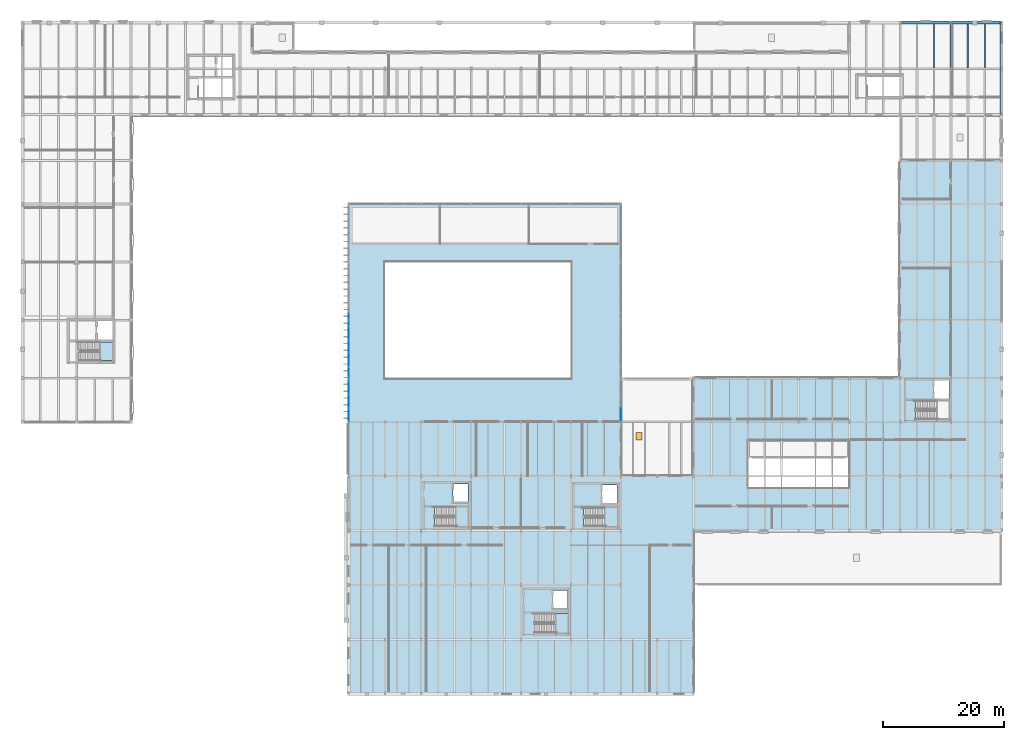
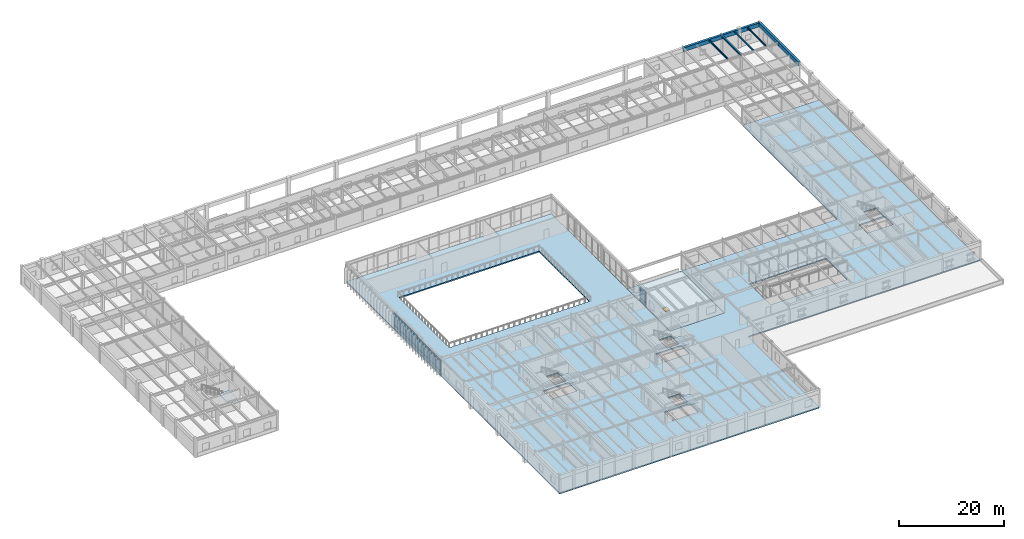
# One storey, part 35 of 64: 18 plates, 8 beams, 6 slabs, 1 door, 9 openings, 8 elements without a shape of their own.
"""IFC4 building model written with IfcOpenShell, lengths in metres."""

import ifcopenshell
import ifcopenshell.guid

model = None  # the IFC model being written
_history = None  # IfcOwnerHistory: only IFC2X3 demands one
_inside = {}  # id of a spatial element -> (the spatial element, [elements in it])
_under = {}  # id of a project, library or spatial element -> (it, [spatial elements below it])
_declared = {}  # id of a project -> (the project, [libraries it declares])
_typed = {}  # id of a type object -> (the type object, [elements of that type])
_made_of = {}  # id of a material, layer set ... -> (it, [elements and type objects made of it])


def new_model(schema):
    """Start an empty IFC model of exactly this schema.

    Asked for "IFC4X3", IfcOpenShell would pick the latest addendum, in which some entities
    have other attributes; the version numbers below select the first issue.
    IFC2X3 requires an IfcOwnerHistory on every rooted entity: one is made here for all.
    """
    global model, _history
    if schema == "IFC4X3":
        model = ifcopenshell.file(schema_version=(4, 3, 0, 0))
    else:
        model = ifcopenshell.file(schema=schema)
    _inside.clear()
    _under.clear()
    _declared.clear()
    _typed.clear()
    _made_of.clear()
    _history = None
    if model.schema == "IFC2X3":
        org = make("IfcOrganization", Name="unknown")
        user = make(
            "IfcPersonAndOrganization",
            ThePerson=make("IfcPerson", FamilyName="unknown"),
            TheOrganization=org,
        )
        app = make(
            "IfcApplication",
            ApplicationDeveloper=org,
            Version="unknown",
            ApplicationFullName="unknown",
            ApplicationIdentifier="unknown",
        )
        _history = make(
            "IfcOwnerHistory",
            OwningUser=user,
            OwningApplication=app,
            ChangeAction="ADDED",
            CreationDate=0,
        )
    return model


def make(cls, **values):
    """One entity of the class cls with the attributes given. An attribute that is None is left unset."""
    return model.create_entity(
        cls, **{name: value for name, value in values.items() if value is not None}
    )


def rooted(cls, **values):
    """An entity with a GlobalId (a new one), such as an element, a storey or a relation."""
    return make(cls, GlobalId=ifcopenshell.guid.new(), OwnerHistory=_history, **values)


def si_unit(unit_type, name, prefix=None):
    """IfcSIUnit, for example si_unit("LENGTHUNIT", "METRE", prefix="MILLI")."""
    return make("IfcSIUnit", UnitType=unit_type, Prefix=prefix, Name=name)


def assignment(units):
    """IfcUnitAssignment: the units of a project."""
    return None if units is None else make("IfcUnitAssignment", Units=units)


def point(xyz):
    """IfcCartesianPoint."""
    return None if xyz is None else make("IfcCartesianPoint", Coordinates=xyz)


def direction(xyz):
    """IfcDirection."""
    return None if xyz is None else make("IfcDirection", DirectionRatios=xyz)


def frame(location, z_axis=None, x_axis=None):
    """IfcAxis2Placement3D, a coordinate frame: its origin and axes. An axis left out is left unset."""
    return make(
        "IfcAxis2Placement3D",
        Location=point(location),
        Axis=direction(z_axis),
        RefDirection=direction(x_axis),
    )


def frame_2d(location, x_axis=None):
    """IfcAxis2Placement2D, a coordinate frame in the plane: its origin and x axis."""
    return make(
        "IfcAxis2Placement2D", Location=point(location), RefDirection=direction(x_axis)
    )


def origin():
    """The frame at (0, 0, 0) with its axes left unset."""
    return frame((0.0, 0.0, 0.0))


def origin_2d():
    """The frame at (0, 0) in the plane with its x axis left unset."""
    return frame_2d((0.0, 0.0))


def place(relative_to, where):
    """IfcLocalPlacement: puts the frame where relative to a parent placement (None: the world)."""
    return make(
        "IfcLocalPlacement", PlacementRelTo=relative_to, RelativePlacement=where
    )


def context(
    kind, dimensions, precision=None, world=None, true_north=None, identifier=None
):
    """IfcGeometricRepresentationContext, for example the 3D "Model" context."""
    return make(
        "IfcGeometricRepresentationContext",
        ContextIdentifier=identifier,
        ContextType=kind,
        CoordinateSpaceDimension=dimensions,
        Precision=precision,
        WorldCoordinateSystem=world,
        TrueNorth=true_north,
    )


def subcontext(parent, identifier, kind, view, scale=None):
    """IfcGeometricRepresentationSubContext, for example "Body" below "Model"."""
    return make(
        "IfcGeometricRepresentationSubContext",
        ContextIdentifier=identifier,
        ContextType=kind,
        ParentContext=parent,
        TargetScale=scale,
        TargetView=view,
    )


def project(units=None, contexts=None):
    """IfcProject with its units and contexts."""
    return rooted(
        "IfcProject",
        Name="project",
        RepresentationContexts=contexts,
        UnitsInContext=assignment(units),
    )


def spatial(cls, under=None, at=None, **own):
    """A site, building, storey or space (cls), placed at a placement, below another one or the project."""
    s = rooted(cls, ObjectPlacement=at, **own)
    if under is not None:
        _under.setdefault(under.id(), (under, []))[1].append(s)
    return s


def polyline(points):
    """IfcPolyline through the points."""
    return make("IfcPolyline", Points=[point(p) for p in points])


def profile(cls, at=None, kind="AREA", **sizes):
    """A parametric profile (cls). Its sizes go by their IFC names, for example OverallWidth=200.0."""
    return make(cls, ProfileType=kind, Position=at, **sizes)


def rectangle(**sizes):
    """IfcRectangleProfileDef."""
    return profile("IfcRectangleProfileDef", **sizes)


def i_section(**sizes):
    """IfcIShapeProfileDef."""
    return profile("IfcIShapeProfileDef", **sizes)


def outline(outer, holes=None, kind="AREA"):
    """IfcArbitraryClosedProfileDef: a profile drawn as a closed curve; with holes, ...WithVoids."""
    if holes is None:
        return make("IfcArbitraryClosedProfileDef", ProfileType=kind, OuterCurve=outer)
    return make(
        "IfcArbitraryProfileDefWithVoids",
        ProfileType=kind,
        OuterCurve=outer,
        InnerCurves=holes,
    )


def extrude(swept, where, along, depth):
    """IfcExtrudedAreaSolid: the profile swept, set in the frame where, extruded along a direction by depth."""
    return make(
        "IfcExtrudedAreaSolid",
        SweptArea=swept,
        Position=where,
        ExtrudedDirection=direction(along),
        Depth=depth,
    )


def shape(context_of_items, identifier, shape_type, items):
    """IfcShapeRepresentation: the items that make up one representation, for example the "Body"."""
    return make(
        "IfcShapeRepresentation",
        ContextOfItems=context_of_items,
        RepresentationIdentifier=identifier,
        RepresentationType=shape_type,
        Items=items,
    )


def material(Name=None, Category=None):
    """IfcMaterial."""
    return make("IfcMaterial", Name=Name, Category=Category)


def layer(
    of_material, thickness, ventilated=None, Name=None, Category=None, Priority=None
):
    """IfcMaterialLayer: one layer of a wall or slab, of a material (None: an air gap)."""
    return make(
        "IfcMaterialLayer",
        Material=of_material,
        LayerThickness=thickness,
        IsVentilated=ventilated,
        Name=Name,
        Category=Category,
        Priority=Priority,
    )


def layer_set(layers, Name=None):
    """IfcMaterialLayerSet."""
    return make("IfcMaterialLayerSet", MaterialLayers=layers, LayerSetName=Name)


def material_profile(
    of_material, cross_section, Name=None, Category=None, Priority=None
):
    """IfcMaterialProfile: a cross section and its material."""
    return make(
        "IfcMaterialProfile",
        Name=Name,
        Material=of_material,
        Profile=cross_section,
        Priority=Priority,
        Category=Category,
    )


def profile_set(profiles, Name=None, composite=None):
    """IfcMaterialProfileSet."""
    return make(
        "IfcMaterialProfileSet",
        Name=Name,
        MaterialProfiles=profiles,
        CompositeProfile=composite,
    )


def made_of(thing, what):
    """Note that an element or type object is made of a material, layer set ...; save() writes the relation."""
    if what is not None:
        _made_of.setdefault(what.id(), (what, []))[1].append(thing)
    return thing


def type_object(cls, material=None, **own):
    """A type object (cls), such as IfcWallType, which elements share."""
    return made_of(rooted(cls, **own), material)


def element(
    cls,
    number,
    at=None,
    inside=None,
    cuts=None,
    type_object=None,
    material=None,
    context=None,
    identifier="Body",
    shape_type=None,
    held_by="IfcProductDefinitionShape",
    body=None,
    shapes=None,
    **own,
):
    """One element of the class cls, such as IfcWall. Its Tag is "e" and its number.

    at: its placement. inside: the storey or other place that contains it. cuts: it is an
    opening in that element (IfcRelVoidsElement). A single representation is given by context,
    identifier, shape_type and body (its items); several are given by shapes. held_by: the class
    of the entity that holds the representations. save() writes the other relations.
    """
    e = rooted(cls, Tag="e%d" % number, ObjectPlacement=at, **own)
    if body is not None:
        shapes = [shape(context, identifier, shape_type, body)]
    if shapes is not None:
        e.Representation = make(held_by, Representations=shapes)
    if inside is not None:
        _inside.setdefault(inside.id(), (inside, []))[1].append(e)
    if cuts is not None:
        rooted(
            "IfcRelVoidsElement", RelatingBuildingElement=cuts, RelatedOpeningElement=e
        )
    if type_object is not None:
        _typed.setdefault(type_object.id(), (type_object, []))[1].append(e)
    return made_of(e, material)


def fill(opening, filler):
    """IfcRelFillsElement: the door or window that sits in an opening."""
    return rooted(
        "IfcRelFillsElement",
        RelatingOpeningElement=opening,
        RelatedBuildingElement=filler,
    )


def aggregate(whole, parts):
    """IfcRelAggregates: a whole, such as a stair, and the parts it consists of."""
    return rooted("IfcRelAggregates", RelatingObject=whole, RelatedObjects=parts)


def save(model, path):
    """Write the relations noted so far, then the file.

    IfcRelAggregates (storeys below a building ...), IfcRelContainedInSpatialStructure (elements
    in a storey), IfcRelDefinesByType, IfcRelAssociatesMaterial and IfcRelDeclares: one each for
    every whole, place, type object, material and project.
    """
    for whole, parts in _under.values():
        aggregate(whole, parts)
    for where, things in _inside.values():
        rooted(
            "IfcRelContainedInSpatialStructure",
            RelatedElements=things,
            RelatingStructure=where,
        )
    for kind, things in _typed.values():
        rooted("IfcRelDefinesByType", RelatedObjects=things, RelatingType=kind)
    for what, things in _made_of.values():
        rooted("IfcRelAssociatesMaterial", RelatedObjects=things, RelatingMaterial=what)
    for by, libraries in _declared.values():
        rooted("IfcRelDeclares", RelatingContext=by, RelatedDefinitions=libraries)
    model.write(path)


model = new_model("IFC4")

# Units and contexts
model_context = context("Model", 3, precision=1e-05, world=origin(), true_north=direction((0.0, 1.0)))
body_context = subcontext(model_context, "Body", "Model", "MODEL_VIEW")
ifc_project = project(units=[si_unit("LENGTHUNIT", "METRE"), si_unit("AREAUNIT", "SQUARE_METRE"), si_unit("VOLUMEUNIT", "CUBIC_METRE"), si_unit("PLANEANGLEUNIT", "RADIAN"), si_unit("MASSUNIT", "GRAM", prefix="KILO")], contexts=[model_context])

# Site, building, storey
site_placement = place(None, origin())
site = spatial("IfcSite", under=ifc_project, at=site_placement, CompositionType="ELEMENT")
building_placement = place(site_placement, origin())
building = spatial("IfcBuilding", under=site, at=building_placement, Name="Montealbar Specialist Clinic", CompositionType="ELEMENT")
storey_placement = place(building_placement, frame((0.0, 0.0, 5.10009765625)))
storey = spatial("IfcBuildingStorey", under=building, at=storey_placement, Name="L01", CompositionType="ELEMENT", Elevation=5.10009765625)

# Beams
ifc_material_1 = material(Name="Precast concrete C40/50", Category="concrete")
ifc_material_profile_1 = material_profile(ifc_material_1, rectangle(XDim=0.5, YDim=0.89990234375, at=origin_2d()), Name="PRECAST CORNICE 500x900", Category="concrete")
ifc_profile_set_1 = profile_set([ifc_material_profile_1], Name="Precast concrete C40/50")
beam_type_1 = type_object("IfcBeamType", Name="BM-CORNICE-PM900-EXT", PredefinedType="SPANDREL", material=ifc_profile_set_1)
beam_1_placement = place(storey_placement, frame((145.199951171875, 111.0, 3.77978515625), z_axis=(1.0, 0.0, 0.0), x_axis=(0.0, 1.0, 0.0)))
element("IfcBeam", 1, at=beam_1_placement, inside=storey, type_object=beam_type_1, Name="Postmodern Entablature Cornice L01 Y=111.0 X=145.2-153.6", PredefinedType="SPANDREL", context=body_context, shape_type="SweptSolid", body=[
    extrude(rectangle(XDim=0.5, YDim=0.89990234375, at=origin_2d()), origin(), (0.0, 0.0, 1.0), 8.400146484375),
])
beam_2_placement = place(storey_placement, frame((153.60009765625, 111.0, 3.77978515625), z_axis=(1.0, 0.0, 0.0), x_axis=(0.0, 1.0, 0.0)))
element("IfcBeam", 2, at=beam_2_placement, inside=storey, type_object=beam_type_1, Name="Postmodern Entablature Cornice L01 Y=111.0 X=153.6-162.0", PredefinedType="SPANDREL", context=body_context, shape_type="SweptSolid", body=[
    extrude(rectangle(XDim=0.5, YDim=0.89990234375, at=origin_2d()), origin(), (0.0, 0.0, 1.0), 8.39990234375),
])
beam_3_placement = place(storey_placement, frame((162.0, 95.800048828125, 3.77978515625), z_axis=(0.0, 1.0, 0.0), x_axis=(-1.0, 0.0, 0.0)))
element("IfcBeam", 3, at=beam_3_placement, inside=storey, type_object=beam_type_1, Name="Postmodern Entablature Cornice L01 X=162.0 Y=95.8-103.4", PredefinedType="SPANDREL", context=body_context, shape_type="SweptSolid", body=[
    extrude(rectangle(XDim=0.5, YDim=0.89990234375, at=origin_2d()), origin(), (0.0, 0.0, 1.0), 7.599853515625),
])
beam_4_placement = place(storey_placement, frame((162.0, 103.39990234375, 3.77978515625), z_axis=(0.0, 1.0, 0.0), x_axis=(-1.0, 0.0, 0.0)))
element("IfcBeam", 4, at=beam_4_placement, inside=storey, type_object=beam_type_1, Name="Postmodern Entablature Cornice L01 X=162.0 Y=103.4-111.0", PredefinedType="SPANDREL", context=body_context, shape_type="SweptSolid", body=[
    extrude(rectangle(XDim=0.5, YDim=0.89990234375, at=origin_2d()), origin(), (0.0, 0.0, 1.0), 7.60009765625),
])
ifc_material_2 = material(Name="Steel S355", Category="steel")
ifc_material_profile_2 = material_profile(ifc_material_2, i_section(OverallWidth=0.300048828125, OverallDepth=0.360107421875, WebThickness=0.012451171875, FlangeThickness=0.0224609375, FilletRadius=0.027099609375, at=origin_2d()), Name="HEB 360", Category="steel")
ifc_profile_set_2 = profile_set([ifc_material_profile_2], Name="Steel S355")
beam_type_2 = type_object("IfcBeamType", Name="BM-GIRD-HEB360-EXT", PredefinedType="BEAM", material=ifc_profile_set_2)
beam_5_placement = place(storey_placement, frame((153.60009765625, 103.39990234375, 4.0498046875), z_axis=(0.0, 1.0, 0.0), x_axis=(-1.0, 0.0, 0.0)))
element("IfcBeam", 5, at=beam_5_placement, inside=storey, type_object=beam_type_2, Name="Beam GY-L01-1536-1034-1110", PredefinedType="BEAM", context=body_context, shape_type="SweptSolid", body=[
    extrude(i_section(OverallWidth=0.300048828125, OverallDepth=0.360107421875, WebThickness=0.012451171875, FlangeThickness=0.0224609375, FilletRadius=0.027099609375, at=origin_2d()), origin(), (0.0, 0.0, 1.0), 7.60009765625),
])
ifc_material_profile_3 = material_profile(ifc_material_2, i_section(OverallWidth=0.169921875, OverallDepth=0.360107421875, WebThickness=0.008056640625, FlangeThickness=0.0126953125, FilletRadius=0.01806640625, at=origin_2d()), Name="IPE 360", Category="steel")
ifc_profile_set_3 = profile_set([ifc_material_profile_3], Name="Steel S355")
beam_type_3 = type_object("IfcBeamType", Name="BM-JST-IPE360", PredefinedType="JOIST", material=ifc_profile_set_3)
beam_6_placement = place(storey_placement, frame((159.199951171875, 103.550048828125, 4.0498046875), z_axis=(0.0, 1.0, 0.0), x_axis=(-1.0, 0.0, 0.0)))
element("IfcBeam", 6, at=beam_6_placement, inside=storey, type_object=beam_type_3, Name="Beam JST-L01-1592-1036-1108", PredefinedType="JOIST", context=body_context, shape_type="SweptSolid", body=[
    extrude(i_section(OverallWidth=0.169921875, OverallDepth=0.360107421875, WebThickness=0.008056640625, FlangeThickness=0.0126953125, FilletRadius=0.01806640625, at=origin_2d()), origin(), (0.0, 0.0, 1.0), 7.199951171875),
])
ifc_material_profile_4 = material_profile(ifc_material_2, i_section(OverallWidth=0.179931640625, OverallDepth=0.39990234375, WebThickness=0.008544921875, FlangeThickness=0.013427734375, FilletRadius=0.02099609375, at=origin_2d()), Name="IPE 400", Category="steel")
ifc_profile_set_4 = profile_set([ifc_material_profile_4], Name="Steel S355")
beam_type_4 = type_object("IfcBeamType", Name="BM-SEC-IPE400", PredefinedType="BEAM", material=ifc_profile_set_4)
beam_7_placement = place(storey_placement, frame((150.800048828125, 103.550048828125, 4.02978515625), z_axis=(0.0, 1.0, 0.0), x_axis=(-1.0, 0.0, 0.0)))
element("IfcBeam", 7, at=beam_7_placement, inside=storey, type_object=beam_type_4, Name="Beam JST-L01-1508-1036-1108", PredefinedType="BEAM", context=body_context, shape_type="SweptSolid", body=[
    extrude(i_section(OverallWidth=0.179931640625, OverallDepth=0.39990234375, WebThickness=0.008544921875, FlangeThickness=0.013427734375, FilletRadius=0.02099609375, at=origin_2d()), origin(), (0.0, 0.0, 1.0), 7.199951171875),
])
ifc_material_profile_5 = material_profile(ifc_material_2, i_section(OverallWidth=0.239990234375, OverallDepth=0.22998046875, WebThickness=0.007568359375, FlangeThickness=0.011962890625, FilletRadius=0.02099609375, at=origin_2d()), Name="HEA 240", Category="steel")
ifc_profile_set_5 = profile_set([ifc_material_profile_5], Name="Steel S355")
beam_type_5 = type_object("IfcBeamType", Name="BM-SPAND-HEA240", PredefinedType="SPANDREL", material=ifc_profile_set_5)
beam_8_placement = place(storey_placement, frame((156.39990234375, 103.550048828125, 4.114990234375), z_axis=(0.0, 1.0, 0.0), x_axis=(-1.0, 0.0, 0.0)))
element("IfcBeam", 8, at=beam_8_placement, inside=storey, type_object=beam_type_5, Name="Beam JST-L01-1564-1036-1108", PredefinedType="SPANDREL", context=body_context, shape_type="SweptSolid", body=[
    extrude(i_section(OverallWidth=0.239990234375, OverallDepth=0.22998046875, WebThickness=0.007568359375, FlangeThickness=0.011962890625, FilletRadius=0.02099609375, at=origin_2d()), origin(), (0.0, 0.0, 1.0), 7.199951171875),
])

# Curtain wall, plates
ifc_material_3 = material(Name="Low-E double glazing", Category="glass")
ifc_layer_1 = layer(ifc_material_3, 0.199951171875, Name="Low-E double glazing", Category="glass")
ifc_layer_set_1 = layer_set([ifc_layer_1], Name="Low-E double glazing")
curtain_wall_type_1 = type_object("IfcCurtainWallType", Name="CW-TYPE-07", PredefinedType="NOTDEFINED", material=ifc_layer_set_1)
curtain_wall_1_placement = place(storey_placement, origin())
curtain_wall_1 = element("IfcCurtainWall", 9, at=curtain_wall_1_placement, inside=storey, type_object=curtain_wall_type_1, Name="Unitised Curtain Wall CW-L01-540-450-540-540-51", PredefinedType="NOTDEFINED")
ifc_layer_2 = layer(ifc_material_3, 0.048095703125, Name="Low-E double glazing", Category="glass")
ifc_layer_set_2 = layer_set([ifc_layer_2], Name="Low-E double glazing")
plate_type = type_object("IfcPlateType", Name="CW-PNL-IGU48", PredefinedType="CURTAIN_PANEL", material=ifc_layer_set_2)
plate_1_placement = place(storey_placement, frame((54.0, 46.125, 0.06982421875), z_axis=(0.0, 0.0, 1.0), x_axis=(0.0, 1.0, 0.0)))
plate_1 = element("IfcPlate", 10, at=plate_1_placement, type_object=plate_type, Name="Glazed Curtain Panel CW-L01-540-450-540-540-51-1-1", PredefinedType="CURTAIN_PANEL", context=body_context, shape_type="SweptSolid", body=[
    extrude(rectangle(XDim=2.166015625, YDim=0.048095703125, at=origin_2d()), origin(), (0.0, 0.0, 1.0), 0.85009765625),
])
plate_2_placement = place(storey_placement, frame((54.0, 46.125, 0.97998046875), z_axis=(0.0, 0.0, 1.0), x_axis=(0.0, 1.0, 0.0)))
plate_2 = element("IfcPlate", 11, at=plate_2_placement, type_object=plate_type, Name="Glazed Curtain Panel CW-L01-540-450-540-540-51-1-2", PredefinedType="CURTAIN_PANEL", context=body_context, shape_type="SweptSolid", body=[
    extrude(rectangle(XDim=2.166015625, YDim=0.048095703125, at=origin_2d()), origin(), (0.0, 0.0, 1.0), 2.47998046875),
])
plate_3_placement = place(storey_placement, frame((54.0, 48.375, 0.06982421875), z_axis=(0.0, 0.0, 1.0), x_axis=(0.0, 1.0, 0.0)))
plate_3 = element("IfcPlate", 12, at=plate_3_placement, type_object=plate_type, Name="Glazed Curtain Panel CW-L01-540-450-540-540-51-2-1", PredefinedType="CURTAIN_PANEL", context=body_context, shape_type="SweptSolid", body=[
    extrude(rectangle(XDim=2.166015625, YDim=0.048095703125, at=origin_2d()), origin(), (0.0, 0.0, 1.0), 0.85009765625),
])
plate_4_placement = place(storey_placement, frame((54.0, 48.375, 0.97998046875), z_axis=(0.0, 0.0, 1.0), x_axis=(0.0, 1.0, 0.0)))
plate_4 = element("IfcPlate", 13, at=plate_4_placement, type_object=plate_type, Name="Glazed Curtain Panel CW-L01-540-450-540-540-51-2-2", PredefinedType="CURTAIN_PANEL", context=body_context, shape_type="SweptSolid", body=[
    extrude(rectangle(XDim=2.166015625, YDim=0.048095703125, at=origin_2d()), origin(), (0.0, 0.0, 1.0), 2.47998046875),
])
plate_5_placement = place(storey_placement, frame((54.0, 50.625, 0.06982421875), z_axis=(0.0, 0.0, 1.0), x_axis=(0.0, 1.0, 0.0)))
plate_5 = element("IfcPlate", 14, at=plate_5_placement, type_object=plate_type, Name="Glazed Curtain Panel CW-L01-540-450-540-540-51-3-1", PredefinedType="CURTAIN_PANEL", context=body_context, shape_type="SweptSolid", body=[
    extrude(rectangle(XDim=2.166015625, YDim=0.048095703125, at=origin_2d()), origin(), (0.0, 0.0, 1.0), 0.85009765625),
])
plate_6_placement = place(storey_placement, frame((54.0, 50.625, 0.97998046875), z_axis=(0.0, 0.0, 1.0), x_axis=(0.0, 1.0, 0.0)))
plate_6 = element("IfcPlate", 15, at=plate_6_placement, type_object=plate_type, Name="Glazed Curtain Panel CW-L01-540-450-540-540-51-3-2", PredefinedType="CURTAIN_PANEL", context=body_context, shape_type="SweptSolid", body=[
    extrude(rectangle(XDim=2.166015625, YDim=0.048095703125, at=origin_2d()), origin(), (0.0, 0.0, 1.0), 2.47998046875),
])
plate_7_placement = place(storey_placement, frame((54.0, 52.875, 0.06982421875), z_axis=(0.0, 0.0, 1.0), x_axis=(0.0, 1.0, 0.0)))
plate_7 = element("IfcPlate", 16, at=plate_7_placement, type_object=plate_type, Name="Glazed Curtain Panel CW-L01-540-450-540-540-51-4-1", PredefinedType="CURTAIN_PANEL", context=body_context, shape_type="SweptSolid", body=[
    extrude(rectangle(XDim=2.166015625, YDim=0.048095703125, at=origin_2d()), origin(), (0.0, 0.0, 1.0), 0.85009765625),
])
plate_8_placement = place(storey_placement, frame((54.0, 52.875, 0.97998046875), z_axis=(0.0, 0.0, 1.0), x_axis=(0.0, 1.0, 0.0)))
plate_8 = element("IfcPlate", 17, at=plate_8_placement, type_object=plate_type, Name="Glazed Curtain Panel CW-L01-540-450-540-540-51-4-2", PredefinedType="CURTAIN_PANEL", context=body_context, shape_type="SweptSolid", body=[
    extrude(rectangle(XDim=2.166015625, YDim=0.048095703125, at=origin_2d()), origin(), (0.0, 0.0, 1.0), 2.47998046875),
])
aggregate(curtain_wall_1, [plate_1, plate_2, plate_3, plate_4, plate_5, plate_6, plate_7, plate_8])

ifc_layer_3 = layer(ifc_material_3, 0.199951171875, Name="Low-E double glazing", Category="glass")
ifc_layer_set_3 = layer_set([ifc_layer_3], Name="Low-E double glazing")
curtain_wall_type_2 = type_object("IfcCurtainWallType", Name="CW-TYPE-08", PredefinedType="NOTDEFINED", material=ifc_layer_set_3)
curtain_wall_2_placement = place(storey_placement, origin())
curtain_wall_2 = element("IfcCurtainWall", 18, at=curtain_wall_2_placement, inside=storey, type_object=curtain_wall_type_2, Name="Unitised Curtain Wall CW-L01-540-540-540-630-51", PredefinedType="NOTDEFINED")
plate_9_placement = place(storey_placement, frame((54.0, 55.125, 0.06982421875), z_axis=(0.0, 0.0, 1.0), x_axis=(0.0, 1.0, 0.0)))
plate_9 = element("IfcPlate", 19, at=plate_9_placement, type_object=plate_type, Name="Glazed Curtain Panel CW-L01-540-540-540-630-51-1-1", PredefinedType="CURTAIN_PANEL", context=body_context, shape_type="SweptSolid", body=[
    extrude(rectangle(XDim=2.166015625, YDim=0.048095703125, at=origin_2d()), origin(), (0.0, 0.0, 1.0), 0.85009765625),
])
plate_10_placement = place(storey_placement, frame((54.0, 55.125, 0.97998046875), z_axis=(0.0, 0.0, 1.0), x_axis=(0.0, 1.0, 0.0)))
plate_10 = element("IfcPlate", 20, at=plate_10_placement, type_object=plate_type, Name="Glazed Curtain Panel CW-L01-540-540-540-630-51-1-2", PredefinedType="CURTAIN_PANEL", context=body_context, shape_type="SweptSolid", body=[
    extrude(rectangle(XDim=2.166015625, YDim=0.048095703125, at=origin_2d()), origin(), (0.0, 0.0, 1.0), 2.75),
])
plate_11_placement = place(storey_placement, frame((54.0, 57.375, 0.06982421875), z_axis=(0.0, 0.0, 1.0), x_axis=(0.0, 1.0, 0.0)))
plate_11 = element("IfcPlate", 21, at=plate_11_placement, type_object=plate_type, Name="Glazed Curtain Panel CW-L01-540-540-540-630-51-2-1", PredefinedType="CURTAIN_PANEL", context=body_context, shape_type="SweptSolid", body=[
    extrude(rectangle(XDim=2.166015625, YDim=0.048095703125, at=origin_2d()), origin(), (0.0, 0.0, 1.0), 0.85009765625),
])
plate_12_placement = place(storey_placement, frame((54.0, 57.375, 0.97998046875), z_axis=(0.0, 0.0, 1.0), x_axis=(0.0, 1.0, 0.0)))
plate_12 = element("IfcPlate", 22, at=plate_12_placement, type_object=plate_type, Name="Glazed Curtain Panel CW-L01-540-540-540-630-51-2-2", PredefinedType="CURTAIN_PANEL", context=body_context, shape_type="SweptSolid", body=[
    extrude(rectangle(XDim=2.166015625, YDim=0.048095703125, at=origin_2d()), origin(), (0.0, 0.0, 1.0), 2.75),
])
plate_13_placement = place(storey_placement, frame((54.0, 59.625, 0.06982421875), z_axis=(0.0, 0.0, 1.0), x_axis=(0.0, 1.0, 0.0)))
plate_13 = element("IfcPlate", 23, at=plate_13_placement, type_object=plate_type, Name="Glazed Curtain Panel CW-L01-540-540-540-630-51-3-1", PredefinedType="CURTAIN_PANEL", context=body_context, shape_type="SweptSolid", body=[
    extrude(rectangle(XDim=2.166015625, YDim=0.048095703125, at=origin_2d()), origin(), (0.0, 0.0, 1.0), 0.85009765625),
])
plate_14_placement = place(storey_placement, frame((54.0, 59.625, 0.97998046875), z_axis=(0.0, 0.0, 1.0), x_axis=(0.0, 1.0, 0.0)))
plate_14 = element("IfcPlate", 24, at=plate_14_placement, type_object=plate_type, Name="Glazed Curtain Panel CW-L01-540-540-540-630-51-3-2", PredefinedType="CURTAIN_PANEL", context=body_context, shape_type="SweptSolid", body=[
    extrude(rectangle(XDim=2.166015625, YDim=0.048095703125, at=origin_2d()), origin(), (0.0, 0.0, 1.0), 2.75),
])
plate_15_placement = place(storey_placement, frame((54.0, 61.875, 0.06982421875), z_axis=(0.0, 0.0, 1.0), x_axis=(0.0, 1.0, 0.0)))
plate_15 = element("IfcPlate", 25, at=plate_15_placement, type_object=plate_type, Name="Glazed Curtain Panel CW-L01-540-540-540-630-51-4-1", PredefinedType="CURTAIN_PANEL", context=body_context, shape_type="SweptSolid", body=[
    extrude(rectangle(XDim=2.166015625, YDim=0.048095703125, at=origin_2d()), origin(), (0.0, 0.0, 1.0), 0.85009765625),
])
plate_16_placement = place(storey_placement, frame((54.0, 61.875, 0.97998046875), z_axis=(0.0, 0.0, 1.0), x_axis=(0.0, 1.0, 0.0)))
plate_16 = element("IfcPlate", 26, at=plate_16_placement, type_object=plate_type, Name="Glazed Curtain Panel CW-L01-540-540-540-630-51-4-2", PredefinedType="CURTAIN_PANEL", context=body_context, shape_type="SweptSolid", body=[
    extrude(rectangle(XDim=2.166015625, YDim=0.048095703125, at=origin_2d()), origin(), (0.0, 0.0, 1.0), 2.75),
])
aggregate(curtain_wall_2, [plate_9, plate_10, plate_11, plate_12, plate_13, plate_14, plate_15, plate_16])

curtain_wall_3_placement = place(storey_placement, origin())
curtain_wall_3 = element("IfcCurtainWall", 27, at=curtain_wall_3_placement, inside=storey, type_object=curtain_wall_type_1, Name="Unitised Curtain Wall CW-L01-990-540-990-450-51", PredefinedType="NOTDEFINED")
plate_17_placement = place(storey_placement, frame((99.0, 46.125, 0.06982421875), z_axis=(0.0, 0.0, 1.0), x_axis=(0.0, -1.0, 0.0)))
plate_17 = element("IfcPlate", 28, at=plate_17_placement, type_object=plate_type, Name="Glazed Curtain Panel CW-L01-990-540-990-450-51-4-1", PredefinedType="CURTAIN_PANEL", context=body_context, shape_type="SweptSolid", body=[
    extrude(rectangle(XDim=2.177978515625, YDim=0.048095703125, at=origin_2d()), origin(), (0.0, 0.0, 1.0), 0.85009765625),
])
plate_18_placement = place(storey_placement, frame((99.0, 46.125, 0.97998046875), z_axis=(0.0, 0.0, 1.0), x_axis=(0.0, -1.0, 0.0)))
plate_18 = element("IfcPlate", 29, at=plate_18_placement, type_object=plate_type, Name="Glazed Curtain Panel CW-L01-990-540-990-450-51-4-2", PredefinedType="CURTAIN_PANEL", context=body_context, shape_type="SweptSolid", body=[
    extrude(rectangle(XDim=2.177978515625, YDim=0.048095703125, at=origin_2d()), origin(), (0.0, 0.0, 1.0), 2.47998046875),
])
aggregate(curtain_wall_3, [plate_17, plate_18])

# Slab, openings
ifc_material_4 = material(Name="Concrete C35/45", Category="concrete")
ifc_layer_4 = layer(ifc_material_4, 0.2900390625, Name="Concrete C35/45", Category="concrete")
ifc_layer_set_4 = layer_set([ifc_layer_4], Name="Concrete C35/45")
slab_type_1 = type_object("IfcSlabType", Name="SL-FLR-250", PredefinedType="FLOOR", material=ifc_layer_set_4)
slab_1_placement = place(storey_placement, frame((0.0, 0.0, -0.2900390625)))
slab_1 = element("IfcSlab", 30, at=slab_1_placement, inside=storey, type_object=slab_type_1, Name="Structural Slab L01 Wing 2", PredefinedType="FLOOR", context=body_context, shape_type="SweptSolid", body=[
    extrude(outline(polyline([(54.0, 0.0), (54.0, 81.0), (99.0, 81.0), (99.0, 36.0), (111.0, 36.0), (111.0, 52.199951171875), (145.199951171875, 52.199951171875), (145.199951171875, 88.199951171875), (162.0, 88.199951171875), (162.0, 27.0), (111.0, 27.0), (111.0, 0.0), (54.0, 0.0)]), holes=[polyline([(120.0, 34.0), (136.800048828125, 34.0), (136.800048828125, 42.0), (120.0, 42.0), (120.0, 34.0)]), polyline([(90.75, 52.199951171875), (90.75, 71.39990234375), (60.0, 71.39990234375), (60.0, 52.199951171875), (90.75, 52.199951171875)]), polyline([(84.699951171875, 13.300048828125), (84.699951171875, 10.10009765625), (90.35009765625, 10.10009765625), (90.35009765625, 13.300048828125), (84.699951171875, 13.300048828125)]), polyline([(73.85009765625, 30.89990234375), (68.199951171875, 30.89990234375), (68.199951171875, 27.699951171875), (73.85009765625, 27.699951171875), (73.85009765625, 30.89990234375)]), polyline([(73.701904296875, 34.701904296875), (71.197998046875, 34.701904296875), (71.197998046875, 31.597900390625), (73.701904296875, 31.597900390625), (73.701904296875, 34.701904296875)]), polyline([(90.201904296875, 17.10205078125), (87.697998046875, 17.10205078125), (87.697998046875, 13.998046875), (90.201904296875, 13.998046875), (90.201904296875, 17.10205078125)]), polyline([(98.550048828125, 30.800048828125), (92.85009765625, 30.800048828125), (92.85009765625, 27.699951171875), (98.550048828125, 27.699951171875), (98.550048828125, 30.800048828125)]), polyline([(98.402099609375, 34.501953125), (95.798095703125, 34.501953125), (95.798095703125, 31.39794921875), (98.402099609375, 31.39794921875), (98.402099609375, 34.501953125)]), polyline([(153.449951171875, 48.5), (147.75, 48.5), (147.75, 45.39990234375), (153.449951171875, 45.39990234375), (153.449951171875, 48.5)]), polyline([(153.302001953125, 51.802001953125), (150.697998046875, 51.802001953125), (150.697998046875, 48.798095703125), (153.302001953125, 48.798095703125), (153.302001953125, 51.802001953125)])]), origin(), (0.0, 0.0, 1.0), 0.2900390625),
])
opening_1_placement = place(slab_1_placement, frame((71.02490234375, 29.2998046875, -0.010009765625)))
element("IfcOpeningElement", 31, at=opening_1_placement, cuts=slab_1, Name="Opening STAIRVOID-C3-L01-1", PredefinedType="OPENING", context=body_context, shape_type="SweptSolid", body=[
    extrude(rectangle(XDim=5.646240234375, YDim=3.196044921875, at=origin_2d()), origin(), (0.0, 0.0, 1.0), 0.31005859375),
])
opening_2_placement = place(slab_1_placement, frame((72.449951171875, 33.14990234375, -0.010009765625)))
element("IfcOpeningElement", 32, at=opening_2_placement, cuts=slab_1, Name="Opening LIFTSHAFT-FL-01-L01", PredefinedType="OPENING", context=body_context, shape_type="SweptSolid", body=[
    extrude(rectangle(XDim=2.5, YDim=3.10009765625, at=origin_2d()), origin(), (0.0, 0.0, 1.0), 0.31005859375),
])
opening_3_placement = place(slab_1_placement, frame((87.52490234375, 11.7001953125, -0.010009765625)))
element("IfcOpeningElement", 33, at=opening_3_placement, cuts=slab_1, Name="Opening STAIRVOID-C4-L01-1", PredefinedType="OPENING", context=body_context, shape_type="SweptSolid", body=[
    extrude(rectangle(XDim=5.646240234375, YDim=3.196044921875, at=origin_2d()), origin(), (0.0, 0.0, 1.0), 0.31005859375),
])
opening_4_placement = place(slab_1_placement, frame((88.949951171875, 15.550048828125, -0.010009765625)))
element("IfcOpeningElement", 34, at=opening_4_placement, cuts=slab_1, Name="Opening LIFTSHAFT-FL-02-L01", PredefinedType="OPENING", context=body_context, shape_type="SweptSolid", body=[
    extrude(rectangle(XDim=2.5, YDim=3.10009765625, at=origin_2d()), origin(), (0.0, 0.0, 1.0), 0.31005859375),
])
opening_5_placement = place(slab_1_placement, frame((95.7001953125, 29.25, -0.010009765625)))
element("IfcOpeningElement", 35, at=opening_5_placement, cuts=slab_1, Name="Opening STAIRVOID-C5-L01-1", PredefinedType="OPENING", context=body_context, shape_type="SweptSolid", body=[
    extrude(rectangle(XDim=5.696044921875, YDim=3.09619140625, at=origin_2d()), origin(), (0.0, 0.0, 1.0), 0.31005859375),
])
opening_6_placement = place(slab_1_placement, frame((97.10009765625, 32.949951171875, -0.010009765625)))
element("IfcOpeningElement", 36, at=opening_6_placement, cuts=slab_1, Name="Opening LIFTSHAFT-LF-03-L01", PredefinedType="OPENING", context=body_context, shape_type="SweptSolid", body=[
    extrude(rectangle(XDim=2.60009765625, YDim=3.10009765625, at=origin_2d()), origin(), (0.0, 0.0, 1.0), 0.31005859375),
])
opening_7_placement = place(slab_1_placement, frame((150.60009765625, 46.949951171875, -0.010009765625)))
element("IfcOpeningElement", 37, at=opening_7_placement, cuts=slab_1, Name="Opening STAIRVOID-C6-L01-1", PredefinedType="OPENING", context=body_context, shape_type="SweptSolid", body=[
    extrude(rectangle(XDim=5.696044921875, YDim=3.09619140625, at=origin_2d()), origin(), (0.0, 0.0, 1.0), 0.31005859375),
])
opening_8_placement = place(slab_1_placement, frame((152.0, 50.300048828125, -0.010009765625)))
element("IfcOpeningElement", 38, at=opening_8_placement, cuts=slab_1, Name="Opening LIFTSHAFT-LF-04-L01", PredefinedType="OPENING", context=body_context, shape_type="SweptSolid", body=[
    extrude(rectangle(XDim=2.60009765625, YDim=3.0, at=origin_2d()), origin(), (0.0, 0.0, 1.0), 0.31005859375),
])

# Roof, slab, opening, door
ifc_material_5 = material(Name="Weatherproof roofing membrane", Category="concrete")
roof_type = type_object("IfcRoofType", Name="ROOF-CONT-FLAT", PredefinedType="FLAT_ROOF", material=ifc_material_5)
roof_placement = place(storey_placement, origin())
roof = element("IfcRoof", 39, at=roof_placement, inside=storey, type_object=roof_type, Name="Flat Roof Assembly ROOF-L01-05", PredefinedType="FLAT_ROOF")
ifc_layer_5 = layer(ifc_material_4, 0.27001953125, Name="Concrete C35/45", Category="concrete")
ifc_layer_set_5 = layer_set([ifc_layer_5], Name="Concrete C35/45")
slab_type_2 = type_object("IfcSlabType", Name="SL-ROOF-220", PredefinedType="ROOF", material=ifc_layer_set_5)
slab_2_placement = place(storey_placement, frame((0.0, 0.0, -0.27001953125)))
slab_2 = element("IfcSlab", 40, at=slab_2_placement, type_object=slab_type_2, Name="Roof Slab ROOF-L01-05", PredefinedType="ROOF", context=body_context, shape_type="SweptSolid", body=[
    extrude(outline(polyline([(99.0, 36.0), (99.0, 52.199951171875), (111.0, 52.199951171875), (111.0, 36.0), (99.0, 36.0)]), holes=[polyline([(102.489990234375, 43.18994140625), (101.510009765625, 43.18994140625), (101.510009765625, 42.010009765625), (102.489990234375, 42.010009765625), (102.489990234375, 43.18994140625)])]), origin(), (0.0, 0.0, 1.0), 0.27001953125),
])
opening_9_placement = place(slab_2_placement, frame((102.0, 42.60009765625, -0.010009765625)))
opening_9 = element("IfcOpeningElement", 41, at=opening_9_placement, cuts=slab_2, Name="Opening HT-01", PredefinedType="OPENING", context=body_context, shape_type="SweptSolid", body=[
    extrude(rectangle(XDim=1.0, YDim=1.199951171875, at=origin_2d()), origin(), (0.0, 0.0, 1.0), 0.2900390625),
])
ifc_material_6 = material(Name="Powder-coated aluminium", Category="aluminium")
door_type = type_object("IfcDoorType", Name="DR-HATCH-RF01", OperationType="SINGLE_SWING_LEFT", PredefinedType="TRAPDOOR", material=ifc_material_6)
door_placement = place(slab_2_placement, frame((102.0, 42.60009765625, 0.219970703125)))
door = element("IfcDoor", 42, at=door_placement, inside=storey, type_object=door_type, Name="Roof Maintenance Access Hatch HT-04", OperationType="SINGLE_SWING_LEFT", OverallHeight=1.199951171875, OverallWidth=1.0, PredefinedType="TRAPDOOR", context=body_context, shape_type="SweptSolid", body=[
    extrude(rectangle(XDim=1.0, YDim=1.199951171875, at=origin_2d()), origin(), (0.0, 0.0, 1.0), 0.050048828125),
])
fill(opening_9, door)
aggregate(roof, [slab_2])

# Stair, slab
stair_type_1 = type_object("IfcStairType", Name="STAIR-HT-03", PredefinedType="HALF_TURN_STAIR", material=ifc_material_4)
stair_1_placement = place(storey_placement, origin())
stair_1 = element("IfcStair", 43, at=stair_1_placement, inside=storey, type_object=stair_type_1, Name="L01 Protected Exit Stair Core C1", PredefinedType="HALF_TURN_STAIR")
ifc_layer_6 = layer(ifc_material_4, 0.199951171875, Name="Concrete C35/45", Category="concrete")
ifc_layer_set_6 = layer_set([ifc_layer_6], Name="Concrete C35/45")
slab_type_3 = type_object("IfcSlabType", Name="SL-STAIR-LAND-200", PredefinedType="LANDING", material=ifc_layer_set_6)
slab_3_placement = place(storey_placement, frame((0.0, 0.0, 2.0498046875)))
slab_3 = element("IfcSlab", 44, at=slab_3_placement, type_object=slab_type_3, Name="ST-01 landing 1", PredefinedType="LANDING", context=body_context, shape_type="SweptSolid", body=[
    extrude(outline(polyline([(12.77001953125, 55.10009765625), (15.050048828125, 55.10009765625), (15.050048828125, 58.199951171875), (12.77001953125, 58.199951171875), (12.77001953125, 55.10009765625)])), origin(), (0.0, 0.0, 1.0), 0.2001953125),
])
aggregate(stair_1, [slab_3])

stair_type_2 = type_object("IfcStairType", Name="STAIR-HT-06", PredefinedType="HALF_TURN_STAIR", material=ifc_material_4)
stair_2_placement = place(storey_placement, origin())
stair_2 = element("IfcStair", 45, at=stair_2_placement, inside=storey, type_object=stair_type_2, Name="L01 Protected Exit Stair Core C3", PredefinedType="HALF_TURN_STAIR")
slab_4_placement = place(storey_placement, frame((0.0, 0.0, 2.0498046875)))
slab_4 = element("IfcSlab", 46, at=slab_4_placement, type_object=slab_type_3, Name="ST-03 landing 1", PredefinedType="LANDING", context=body_context, shape_type="SweptSolid", body=[
    extrude(outline(polyline([(71.6201171875, 27.699951171875), (73.85009765625, 27.699951171875), (73.85009765625, 30.89990234375), (71.6201171875, 30.89990234375), (71.6201171875, 27.699951171875)])), origin(), (0.0, 0.0, 1.0), 0.2001953125),
])
aggregate(stair_2, [slab_4])

stair_3_placement = place(storey_placement, origin())
stair_3 = element("IfcStair", 47, at=stair_3_placement, inside=storey, type_object=stair_type_2, Name="L01 Protected Exit Stair Core C4", PredefinedType="HALF_TURN_STAIR")
slab_5_placement = place(storey_placement, frame((0.0, 0.0, 2.0498046875)))
slab_5 = element("IfcSlab", 48, at=slab_5_placement, type_object=slab_type_3, Name="ST-04 landing 1", PredefinedType="LANDING", context=body_context, shape_type="SweptSolid", body=[
    extrude(outline(polyline([(88.1201171875, 10.10009765625), (90.35009765625, 10.10009765625), (90.35009765625, 13.300048828125), (88.1201171875, 13.300048828125), (88.1201171875, 10.10009765625)])), origin(), (0.0, 0.0, 1.0), 0.2001953125),
])
aggregate(stair_3, [slab_5])

stair_4_placement = place(storey_placement, origin())
stair_4 = element("IfcStair", 49, at=stair_4_placement, inside=storey, type_object=stair_type_1, Name="L01 Protected Exit Stair Core C5", PredefinedType="HALF_TURN_STAIR")
slab_6_placement = place(storey_placement, frame((0.0, 0.0, 2.0498046875)))
slab_6 = element("IfcSlab", 50, at=slab_6_placement, type_object=slab_type_3, Name="ST-05 landing 1", PredefinedType="LANDING", context=body_context, shape_type="SweptSolid", body=[
    extrude(outline(polyline([(96.27001953125, 27.699951171875), (98.550048828125, 27.699951171875), (98.550048828125, 30.800048828125), (96.27001953125, 30.800048828125), (96.27001953125, 27.699951171875)])), origin(), (0.0, 0.0, 1.0), 0.2001953125),
])
aggregate(stair_4, [slab_6])

save(model, "model.ifc")
